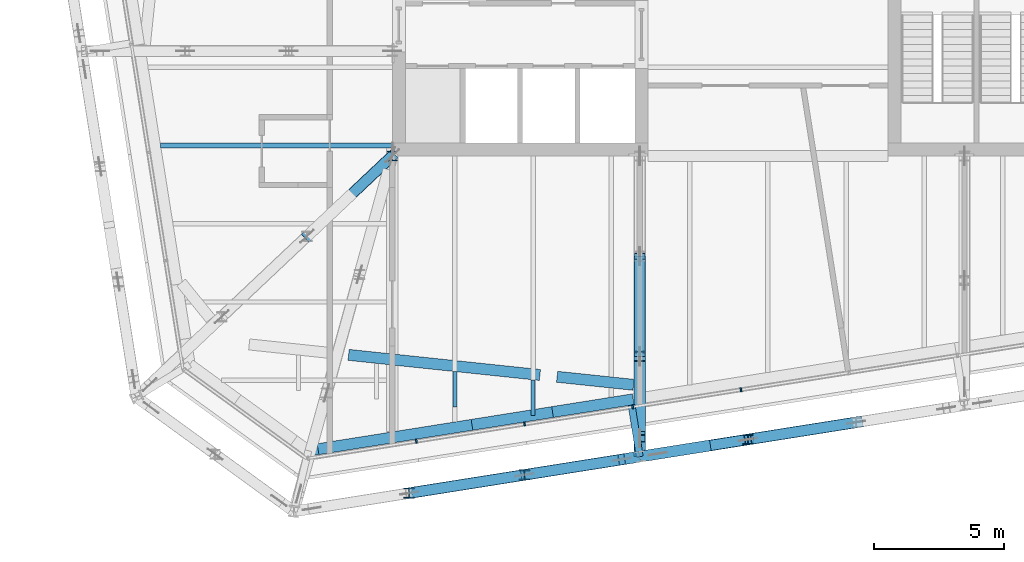
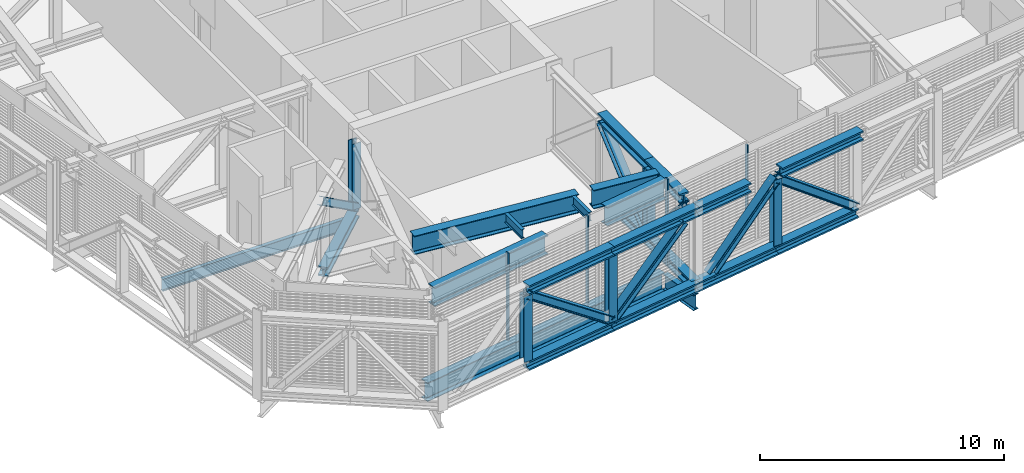
# One storey, part 3 of 32: 22 beams, 16 members, 1 element without a shape of its own.
"""IFC4 building model written with IfcOpenShell, lengths in metres."""

from ifc_helpers import new_model, si_unit, direction, frame, origin, origin_2d, place, context, subcontext, project, spatial, rectangle, i_section, extrude, material, layer, layer_set, material_profile, profile_set, type_object, element, aggregate, save


model = new_model("IFC4")

# Units and contexts
model_context = context("Model", 3, precision=1e-05, world=origin(), true_north=direction((0.0, 1.0)))
body_context = subcontext(model_context, "Body", "Model", "MODEL_VIEW")
ifc_project = project(units=[si_unit("LENGTHUNIT", "METRE"), si_unit("AREAUNIT", "SQUARE_METRE"), si_unit("VOLUMEUNIT", "CUBIC_METRE"), si_unit("PLANEANGLEUNIT", "RADIAN"), si_unit("MASSUNIT", "GRAM", prefix="KILO")], contexts=[model_context])

# Site, building, storey
site_placement = place(None, origin())
site = spatial("IfcSite", under=ifc_project, at=site_placement, CompositionType="ELEMENT")
building_placement = place(site_placement, origin())
building = spatial("IfcBuilding", under=site, at=building_placement, Name="Millrace Tower", CompositionType="ELEMENT")
storey_placement = place(building_placement, frame((0.0, 0.0, 266.89990234375)))
storey = spatial("IfcBuildingStorey", under=building, at=storey_placement, Name="L61", CompositionType="ELEMENT", Elevation=266.89990234375)

# Beams
ifc_material_1 = material(Name="Steel ASTM A992 Grade 50", Category="steel")
ifc_material_profile_1 = material_profile(ifc_material_1, i_section(OverallWidth=0.424072265625, OverallDepth=0.47509765625, WebThickness=0.0478515625, FlangeThickness=0.0771484375, FilletRadius=0.014892578125, at=origin_2d()))
ifc_profile_set_1 = profile_set([ifc_material_profile_1], Name="Steel ASTM A992 Grade 50")
beam_type_1 = type_object("IfcBeamType", Name="Belt truss chord W14x426", PredefinedType="BEAM", material=ifc_profile_set_1)
for number, where, z_axis, x_axis, name in (
    (1, (-13.753662109375, -22.328125, 0.237548828125), (0.9876898897, 0.156424684061, 0.0), (-0.156424684061, 0.9876898897, 0.0), "BLT-L61-R02-B02"),
    (2, (-13.753662109375, -22.328125, 4.002685546875), (0.9876898897, 0.156424684061, 0.0), (-0.156424684061, 0.9876898897, 0.0), "BLT-L61-R02-T02"),
):
    element("IfcBeam", number, at=place(storey_placement, frame(where, z_axis=z_axis, x_axis=x_axis)), inside=storey, type_object=beam_type_1, Name=name, PredefinedType="BEAM", context=body_context, shape_type="SweptSolid", body=[
        extrude(i_section(OverallWidth=0.424072265625, OverallDepth=0.47509765625, WebThickness=0.0478515625, FlangeThickness=0.0771484375, FilletRadius=0.014892578125, at=origin_2d()), origin(), (0.0, 0.0, 1.0), 4.476318359375),
    ])
for number, where, z_axis, x_axis, name in (
    (3, (-9.33251953125, -21.6279296875, 0.237548828125), (0.987688555037, 0.156433111103, 0.0), (-0.156433111103, 0.987688555037, 0.0), "BLT-L61-R02-B03"),
    (4, (-9.33251953125, -21.6279296875, 4.002685546875), (0.987688555037, 0.156433111103, 0.0), (-0.156433111103, 0.987688555037, 0.0), "BLT-L61-R02-T03"),
):
    element("IfcBeam", number, at=place(storey_placement, frame(where, z_axis=z_axis, x_axis=x_axis)), inside=storey, type_object=beam_type_1, Name=name, PredefinedType="BEAM", context=body_context, shape_type="SweptSolid", body=[
        extrude(i_section(OverallWidth=0.424072265625, OverallDepth=0.47509765625, WebThickness=0.0478515625, FlangeThickness=0.0771484375, FilletRadius=0.014892578125, at=origin_2d()), origin(), (0.0, 0.0, 1.0), 4.47607421875),
    ])
beam_1_placement = place(storey_placement, frame((-4.91162109375, -20.927734375, 0.237548828125), z_axis=(0.987690751091, 0.156419245009, 0.0), x_axis=(-0.156419245009, 0.987690751091, 0.0)))
element("IfcBeam", 5, at=beam_1_placement, inside=storey, type_object=beam_type_1, Name="BLT-L61-R03-B01", PredefinedType="BEAM", context=body_context, shape_type="SweptSolid", body=[
    extrude(i_section(OverallWidth=0.424072265625, OverallDepth=0.47509765625, WebThickness=0.0478515625, FlangeThickness=0.0771484375, FilletRadius=0.014892578125, at=origin_2d()), origin(), (0.0, 0.0, 1.0), 4.2001953125),
])
beam_2_placement = place(storey_placement, frame((-0.76318359375, -20.270751953125, 0.237548828125), z_axis=(0.987689328781, 0.156428225752, 0.0), x_axis=(-0.156428225752, 0.987689328781, 0.0)))
element("IfcBeam", 6, at=beam_2_placement, inside=storey, type_object=beam_type_1, Name="BLT-L61-R03-B02", PredefinedType="BEAM", context=body_context, shape_type="SweptSolid", body=[
    extrude(i_section(OverallWidth=0.424072265625, OverallDepth=0.47509765625, WebThickness=0.0478515625, FlangeThickness=0.0771484375, FilletRadius=0.014892578125, at=origin_2d()), origin(), (0.0, 0.0, 1.0), 4.199951171875),
])
beam_3_placement = place(storey_placement, frame((-4.91162109375, -20.927734375, 4.002685546875), z_axis=(0.987692813653, 0.156406220649, 0.0), x_axis=(-0.156406220649, 0.987692813653, 0.0)))
element("IfcBeam", 7, at=beam_3_placement, inside=storey, type_object=beam_type_1, Name="BLT-L61-R03-T01", PredefinedType="BEAM", context=body_context, shape_type="SweptSolid", body=[
    extrude(i_section(OverallWidth=0.424072265625, OverallDepth=0.47509765625, WebThickness=0.0478515625, FlangeThickness=0.0771484375, FilletRadius=0.014892578125, at=origin_2d()), origin(), (0.0, 0.0, 1.0), 2.740966796875),
])
beam_4_placement = place(storey_placement, frame((-0.56982421875, -20.239990234375, 4.002685546875), z_axis=(0.98769303442, 0.156404826518, 0.0), x_axis=(-0.156404826518, 0.98769303442, 0.0)))
element("IfcBeam", 8, at=beam_4_placement, inside=storey, type_object=beam_type_1, Name="BLT-L61-R03-T02", PredefinedType="BEAM", context=body_context, shape_type="SweptSolid", body=[
    extrude(i_section(OverallWidth=0.424072265625, OverallDepth=0.47509765625, WebThickness=0.0478515625, FlangeThickness=0.0771484375, FilletRadius=0.014892578125, at=origin_2d()), origin(), (0.0, 0.0, 1.0), 4.251953125),
])

# Members
ifc_material_2 = material(Name="Steel ASTM A992 Grade 50", Category="steel")
ifc_material_profile_2 = material_profile(ifc_material_2, i_section(OverallWidth=0.398681640625, OverallDepth=0.385986328125, WebThickness=0.02099609375, FlangeThickness=0.033203125, FilletRadius=0.01513671875, at=origin_2d()))
ifc_profile_set_2 = profile_set([ifc_material_profile_2], Name="Steel ASTM A992 Grade 50")
member_type_1 = type_object("IfcMemberType", Name="Belt truss diagonal W14x176", PredefinedType="BRACE", material=ifc_profile_set_2)
member_1_placement = place(storey_placement, frame((-9.33251953125, -21.6279296875, 0.47509765625), z_axis=(-0.795845185352, -0.126041415406, 0.592236441427), x_axis=(0.156424684061, -0.9876898897, 0.0)))
element("IfcMember", 9, at=member_1_placement, inside=storey, type_object=member_type_1, Name="BLT-L61-R02-D02", PredefinedType="BRACE", context=body_context, shape_type="SweptSolid", body=[
    extrude(i_section(OverallWidth=0.398681640625, OverallDepth=0.385986328125, WebThickness=0.02099609375, FlangeThickness=0.033203125, FilletRadius=0.01513671875, at=origin_2d()), origin(), (0.0, 0.0, 1.0), 5.55517578125),
])
member_2_placement = place(storey_placement, frame((-9.33251953125, -21.6279296875, 0.47509765625), z_axis=(0.74467446544, 0.117921414762, 0.656928063385), x_axis=(-0.156404144508, 0.987693142419, 0.0)))
element("IfcMember", 10, at=member_2_placement, inside=storey, type_object=member_type_1, Name="BLT-L61-R02-D03", PredefinedType="BRACE", context=body_context, shape_type="SweptSolid", body=[
    extrude(i_section(OverallWidth=0.398681640625, OverallDepth=0.385986328125, WebThickness=0.02099609375, FlangeThickness=0.033203125, FilletRadius=0.01513671875, at=origin_2d()), origin(), (0.0, 0.0, 1.0), 5.00830078125),
])
member_3_placement = place(storey_placement, frame((-4.22021484375, -20.818359375, 0.47509765625), z_axis=(0.719663812455, 0.113997594021, 0.684900391006), x_axis=(-0.156453267504, 0.987685362394, 0.0)))
element("IfcMember", 11, at=member_3_placement, inside=storey, type_object=member_type_1, Name="BLT-L61-R03-D01", PredefinedType="BRACE", context=body_context, shape_type="SweptSolid", body=[
    extrude(i_section(OverallWidth=0.398681640625, OverallDepth=0.385986328125, WebThickness=0.02099609375, FlangeThickness=0.033203125, FilletRadius=0.01513671875, at=origin_2d()), origin(), (0.0, 0.0, 1.0), 4.8037109375),
])
member_4_placement = place(storey_placement, frame((3.385009765625, -19.61376953125, 0.47509765625), z_axis=(-0.777525979499, -0.123142982216, 0.616675893104), x_axis=(0.156428225752, -0.987689328781, 0.0)))
element("IfcMember", 12, at=member_4_placement, inside=storey, type_object=member_type_1, Name="BLT-L61-R03-D02", PredefinedType="BRACE", context=body_context, shape_type="SweptSolid", body=[
    extrude(i_section(OverallWidth=0.398681640625, OverallDepth=0.385986328125, WebThickness=0.02099609375, FlangeThickness=0.033203125, FilletRadius=0.01513671875, at=origin_2d()), origin(), (0.0, 0.0, 1.0), 5.335205078125),
])
ifc_material_3 = material(Name="Steel ASTM A992 Grade 50", Category="steel")
ifc_material_profile_3 = material_profile(ifc_material_3, i_section(OverallWidth=0.393798828125, OverallDepth=0.3759765625, WebThickness=0.017333984375, FlangeThickness=0.027587890625, FilletRadius=0.01513671875, at=origin_2d()))
ifc_profile_set_3 = profile_set([ifc_material_profile_3], Name="Steel ASTM A992 Grade 50")
member_type_2 = type_object("IfcMemberType", Name="Belt truss post W14x145", PredefinedType="POST", material=ifc_profile_set_3)
for number, where, z_axis, x_axis, name in (
    (13, (-13.753662109375, -22.328125, 0.47509765625), (0.0, 0.0, 1.0), (1.0, 0.0, 0.0), "BLT-L61-R02-V01"),
    (14, (-9.33251953125, -21.6279296875, 0.47509765625), (0.0, 0.0, 1.0), (1.0, 0.0, 0.0), "BLT-L61-R02-V02"),
    (15, (-0.76318359375, -20.270751953125, 0.47509765625), (0.0, 0.0, 1.0), (1.0, 0.0, 0.0), "BLT-L61-R03-V01"),
):
    element("IfcMember", number, at=place(storey_placement, frame(where, z_axis=z_axis, x_axis=x_axis)), inside=storey, type_object=member_type_2, Name=name, PredefinedType="POST", context=body_context, shape_type="SweptSolid", body=[
        extrude(i_section(OverallWidth=0.393798828125, OverallDepth=0.3759765625, WebThickness=0.017333984375, FlangeThickness=0.027587890625, FilletRadius=0.01513671875, at=origin_2d()), origin(), (0.0, 0.0, 1.0), 3.2900390625),
    ])

# Curtain wall, members
ifc_material_4 = material(Name="Aluminium and glass", Category="aluminium")
ifc_layer = layer(ifc_material_4, 0.14990234375)
ifc_layer_set = layer_set([ifc_layer], Name="Aluminium and glass")
curtain_wall_type = type_object("IfcCurtainWallType", Name="CW-5 truss and plant storey louvred infill", PredefinedType="NOTDEFINED", material=ifc_layer_set)
curtain_wall_placement = place(storey_placement, origin())
curtain_wall = element("IfcCurtainWall", 16, at=curtain_wall_placement, inside=storey, type_object=curtain_wall_type, Name="Curtain wall D-F02 L61", PredefinedType="NOTDEFINED")
ifc_material_5 = material(Name="Aluminium", Category="aluminium")
ifc_material_profile_4 = material_profile(ifc_material_5, rectangle(XDim=0.06494140625, YDim=0.14990234375, at=origin_2d()))
ifc_profile_set_4 = profile_set([ifc_material_profile_4], Name="Aluminium")
member_type_3 = type_object("IfcMemberType", Name="CW-5 truss and plant storey louvred infill mullion", PredefinedType="MULLION", material=ifc_profile_set_4)
member_5_placement = place(storey_placement, frame((-13.477294921875, -20.33544921875, 0.14013671875), z_axis=(0.0, 0.0, 1.0), x_axis=(0.987688339511, 0.156434471884, 0.0)))
member_5 = element("IfcMember", 17, at=member_5_placement, type_object=member_type_3, Name="CW5 mullion D-F02.2", PredefinedType="MULLION", context=body_context, shape_type="SweptSolid", body=[
    extrude(rectangle(XDim=0.06494140625, YDim=0.14990234375, at=origin_2d()), origin(), (0.0, 0.0, 1.0), 4.35986328125),
])
member_6_placement = place(storey_placement, frame((-9.328857421875, -19.678466796875, 0.14013671875), z_axis=(0.0, 0.0, 1.0), x_axis=(0.987688339511, 0.156434471884, 0.0)))
member_6 = element("IfcMember", 18, at=member_6_placement, type_object=member_type_3, Name="CW5 mullion D-F02.3", PredefinedType="MULLION", context=body_context, shape_type="SweptSolid", body=[
    extrude(rectangle(XDim=0.06494140625, YDim=0.14990234375, at=origin_2d()), origin(), (0.0, 0.0, 1.0), 4.35986328125),
])
member_7_placement = place(storey_placement, frame((-5.1806640625, -19.021240234375, 0.14013671875), z_axis=(0.0, 0.0, 1.0), x_axis=(0.987688339511, 0.156434471884, 0.0)))
member_7 = element("IfcMember", 19, at=member_7_placement, type_object=member_type_3, Name="CW5 mullion D-F02.4", PredefinedType="MULLION", context=body_context, shape_type="SweptSolid", body=[
    extrude(rectangle(XDim=0.06494140625, YDim=0.14990234375, at=origin_2d()), origin(), (0.0, 0.0, 1.0), 4.35986328125),
])
member_8_placement = place(storey_placement, frame((-1.0322265625, -18.3642578125, 0.14013671875), z_axis=(0.0, 0.0, 1.0), x_axis=(0.987688339511, 0.156434471884, 0.0)))
member_8 = element("IfcMember", 20, at=member_8_placement, type_object=member_type_3, Name="CW5 mullion D-F02.5", PredefinedType="MULLION", context=body_context, shape_type="SweptSolid", body=[
    extrude(rectangle(XDim=0.06494140625, YDim=0.14990234375, at=origin_2d()), origin(), (0.0, 0.0, 1.0), 4.199951171875),
])
aggregate(curtain_wall, [member_5, member_6, member_7, member_8])

# Beams
ifc_material_6 = material(Name="Steel ASTM A992 Grade 50", Category="steel")
ifc_material_profile_5 = material_profile(ifc_material_6, i_section(OverallWidth=0.15234375, OverallDepth=0.449462890625, WebThickness=0.007568359375, FlangeThickness=0.0107421875, FilletRadius=0.01025390625, at=origin_2d()))
ifc_profile_set_5 = profile_set([ifc_material_profile_5], Name="Steel ASTM A992 Grade 50")
beam_type_2 = type_object("IfcBeamType", Name="Floor beam W18x35", PredefinedType="JOIST", material=ifc_profile_set_5)
beam_5_placement = place(storey_placement, frame((-9.0, -19.347412109375, 4.115234375), z_axis=(0.0, 1.0, 0.0), x_axis=(-1.0, 0.0, 0.0)))
element("IfcBeam", 21, at=beam_5_placement, inside=storey, type_object=beam_type_2, Name="BM-D-L61-R2-S005", PredefinedType="JOIST", context=body_context, shape_type="SweptSolid", body=[
    extrude(i_section(OverallWidth=0.15234375, OverallDepth=0.449462890625, WebThickness=0.007568359375, FlangeThickness=0.0107421875, FilletRadius=0.01025390625, at=origin_2d()), origin(), (0.0, 0.0, 1.0), 1.364990234375),
])
beam_6_placement = place(storey_placement, frame((-12.0, -19.0322265625, 4.115234375), z_axis=(0.0, 1.0, 0.0), x_axis=(-1.0, 0.0, 0.0)))
element("IfcBeam", 22, at=beam_6_placement, inside=storey, type_object=beam_type_2, Name="BM-D-L61-R2-S004", PredefinedType="JOIST", context=body_context, shape_type="SweptSolid", body=[
    extrude(i_section(OverallWidth=0.15234375, OverallDepth=0.449462890625, WebThickness=0.007568359375, FlangeThickness=0.0107421875, FilletRadius=0.01025390625, at=origin_2d()), origin(), (0.0, 0.0, 1.0), 1.365234375),
])
ifc_material_7 = material(Name="Steel ASTM A992 Grade 50", Category="steel")
ifc_material_profile_6 = material_profile(ifc_material_7, i_section(OverallWidth=0.177978515625, OverallDepth=0.599365234375, WebThickness=0.010009765625, FlangeThickness=0.012939453125, FilletRadius=0.012939453125, at=origin_2d()))
ifc_profile_set_6 = profile_set([ifc_material_profile_6], Name="Steel ASTM A992 Grade 50")
beam_type_3 = type_object("IfcBeamType", Name="Floor beam W24x55", PredefinedType="JOIST", material=ifc_profile_set_6)
beam_7_placement = place(storey_placement, frame((-23.281982421875, -9.0, -0.549560546875), z_axis=(1.0, 0.0, 0.0), x_axis=(0.0, 1.0, 0.0)))
element("IfcBeam", 23, at=beam_7_placement, inside=storey, type_object=beam_type_3, Name="BM-D-L61-S1-S006", PredefinedType="JOIST", context=body_context, shape_type="SweptSolid", body=[
    extrude(i_section(OverallWidth=0.177978515625, OverallDepth=0.599365234375, WebThickness=0.010009765625, FlangeThickness=0.012939453125, FilletRadius=0.012939453125, at=origin_2d()), origin(), (0.0, 0.0, 1.0), 8.882080078125),
])
ifc_material_8 = material(Name="Steel ASTM A992 Grade 50", Category="steel")
ifc_material_profile_7 = material_profile(ifc_material_8, i_section(OverallWidth=0.2666015625, OverallDepth=0.7568359375, WebThickness=0.013916015625, FlangeThickness=0.019287109375, FilletRadius=0.0166015625, at=origin_2d()))
ifc_profile_set_7 = profile_set([ifc_material_profile_7], Name="Steel ASTM A992 Grade 50")
beam_type_4 = type_object("IfcBeamType", Name="Link beam W30x108", PredefinedType="BEAM", material=ifc_profile_set_7)
beam_8_placement = place(storey_placement, frame((-5.224365234375, -18.952392578125, -0.62841796875), z_axis=(0.15637629034, -0.987697552806, 0.0), x_axis=(0.987697552806, 0.15637629034, 0.0)))
element("IfcBeam", 24, at=beam_8_placement, inside=storey, type_object=beam_type_4, Name="LNK-D-L61-S1-15", PredefinedType="BEAM", context=body_context, shape_type="SweptSolid", body=[
    extrude(i_section(OverallWidth=0.2666015625, OverallDepth=0.7568359375, WebThickness=0.013916015625, FlangeThickness=0.019287109375, FilletRadius=0.0166015625, at=origin_2d()), origin(), (0.0, 0.0, 1.0), 2.0),
])
ifc_material_9 = material(Name="Steel ASTM A992 Grade 50", Category="steel")
ifc_material_profile_8 = material_profile(ifc_material_9, i_section(OverallWidth=0.424072265625, OverallDepth=0.47509765625, WebThickness=0.0478515625, FlangeThickness=0.0771484375, FilletRadius=0.014892578125, at=origin_2d()))
ifc_profile_set_8 = profile_set([ifc_material_profile_8], Name="Steel ASTM A992 Grade 50")
beam_type_5 = type_object("IfcBeamType", Name="Outrigger truss chord W14x426", PredefinedType="BEAM", material=ifc_profile_set_8)
beam_9_placement = place(storey_placement, frame((-14.39990234375, -9.39990234375, 0.237548828125), z_axis=(-0.727559957581, -0.686044100714, 0.0), x_axis=(0.686044100714, -0.727559957581, 0.0)))
element("IfcBeam", 25, at=beam_9_placement, inside=storey, type_object=beam_type_5, Name="BLT-L61-O01-B01", PredefinedType="BEAM", context=body_context, shape_type="SweptSolid", body=[
    extrude(i_section(OverallWidth=0.424072265625, OverallDepth=0.47509765625, WebThickness=0.0478515625, FlangeThickness=0.0771484375, FilletRadius=0.014892578125, at=origin_2d()), origin(), (0.0, 0.0, 1.0), 4.492919921875),
])
for number, where, z_axis, x_axis, name in (
    (26, (-4.91162109375, -13.24267578125, 0.237548828125), (0.0, -1.0, 0.0), (1.0, 0.0, 0.0), "BLT-L61-O03-B02"),
    (27, (-4.91162109375, -13.24267578125, 4.002685546875), (0.0, -1.0, 0.0), (1.0, 0.0, 0.0), "BLT-L61-O03-T02"),
    (28, (-4.91162109375, -17.085205078125, 0.237548828125), (0.0, -1.0, 0.0), (1.0, 0.0, 0.0), "BLT-L61-O03-B03"),
):
    element("IfcBeam", number, at=place(storey_placement, frame(where, z_axis=z_axis, x_axis=x_axis)), inside=storey, type_object=beam_type_5, Name=name, PredefinedType="BEAM", context=body_context, shape_type="SweptSolid", body=[
        extrude(i_section(OverallWidth=0.424072265625, OverallDepth=0.47509765625, WebThickness=0.0478515625, FlangeThickness=0.0771484375, FilletRadius=0.014892578125, at=origin_2d()), origin(), (0.0, 0.0, 1.0), 3.842529296875),
    ])
beam_10_placement = place(storey_placement, frame((-4.91162109375, -17.085205078125, 4.002685546875), z_axis=(0.0, -1.0, 0.0), x_axis=(1.0, 0.0, 0.0)))
element("IfcBeam", 29, at=beam_10_placement, inside=storey, type_object=beam_type_5, Name="BLT-L61-O03-T03", PredefinedType="BEAM", context=body_context, shape_type="SweptSolid", body=[
    extrude(i_section(OverallWidth=0.424072265625, OverallDepth=0.47509765625, WebThickness=0.0478515625, FlangeThickness=0.0771484375, FilletRadius=0.014892578125, at=origin_2d()), origin(), (0.0, 0.0, 1.0), 2.88134765625),
])

# Members
ifc_material_10 = material(Name="Steel ASTM A992 Grade 50", Category="steel")
ifc_material_profile_9 = material_profile(ifc_material_10, i_section(OverallWidth=0.398681640625, OverallDepth=0.385986328125, WebThickness=0.02099609375, FlangeThickness=0.033203125, FilletRadius=0.01513671875, at=origin_2d()))
ifc_profile_set_9 = profile_set([ifc_material_profile_9], Name="Steel ASTM A992 Grade 50")
member_type_4 = type_object("IfcMemberType", Name="Outrigger truss diagonal W14x176", PredefinedType="BRACE", material=ifc_profile_set_9)
member_9_placement = place(storey_placement, frame((-14.39990234375, -9.39990234375, 0.47509765625), z_axis=(-0.587000593226, -0.553505302075, 0.590814847585), x_axis=(0.686044100714, -0.727559957581, 0.0)))
element("IfcMember", 30, at=member_9_placement, inside=storey, type_object=member_type_4, Name="BLT-L61-O01-D01", PredefinedType="BRACE", context=body_context, shape_type="SweptSolid", body=[
    extrude(i_section(OverallWidth=0.398681640625, OverallDepth=0.385986328125, WebThickness=0.02099609375, FlangeThickness=0.033203125, FilletRadius=0.01513671875, at=origin_2d()), origin(), (0.0, 0.0, 1.0), 5.568603515625),
])
member_10_placement = place(storey_placement, frame((-4.91162109375, -17.085205078125, 0.47509765625), z_axis=(0.0, 0.759603984359, 0.65038587542), x_axis=(-1.0, 0.0, 0.0)))
element("IfcMember", 31, at=member_10_placement, inside=storey, type_object=member_type_4, Name="BLT-L61-O03-D02", PredefinedType="BRACE", context=body_context, shape_type="SweptSolid", body=[
    extrude(i_section(OverallWidth=0.398681640625, OverallDepth=0.385986328125, WebThickness=0.02099609375, FlangeThickness=0.033203125, FilletRadius=0.01513671875, at=origin_2d()), origin(), (0.0, 0.0, 1.0), 5.05859375),
])
member_11_placement = place(storey_placement, frame((-4.91162109375, -17.085205078125, 0.47509765625), z_axis=(0.0, -0.690715642844, 0.723126476303), x_axis=(1.0, 0.0, 0.0)))
element("IfcMember", 32, at=member_11_placement, inside=storey, type_object=member_type_4, Name="BLT-L61-O03-D03", PredefinedType="BRACE", context=body_context, shape_type="SweptSolid", body=[
    extrude(i_section(OverallWidth=0.398681640625, OverallDepth=0.385986328125, WebThickness=0.02099609375, FlangeThickness=0.033203125, FilletRadius=0.01513671875, at=origin_2d()), origin(), (0.0, 0.0, 1.0), 4.5498046875),
])
ifc_material_11 = material(Name="Steel ASTM A992 Grade 50", Category="steel")
ifc_material_profile_10 = material_profile(ifc_material_11, i_section(OverallWidth=0.393798828125, OverallDepth=0.3759765625, WebThickness=0.017333984375, FlangeThickness=0.027587890625, FilletRadius=0.01513671875, at=origin_2d()))
ifc_profile_set_10 = profile_set([ifc_material_profile_10], Name="Steel ASTM A992 Grade 50")
member_type_5 = type_object("IfcMemberType", Name="Outrigger truss post W14x145", PredefinedType="POST", material=ifc_profile_set_10)
for number, where, z_axis, x_axis, name in (
    (33, (-14.39990234375, -9.39990234375, 0.47509765625), (0.0, 0.0, 1.0), (1.0, 0.0, 0.0), "BLT-L61-O01-V00"),
    (34, (-4.91162109375, -17.085205078125, 0.47509765625), (0.0, 0.0, 1.0), (1.0, 0.0, 0.0), "BLT-L61-O03-V02"),
):
    element("IfcMember", number, at=place(storey_placement, frame(where, z_axis=z_axis, x_axis=x_axis)), inside=storey, type_object=member_type_5, Name=name, PredefinedType="POST", context=body_context, shape_type="SweptSolid", body=[
        extrude(i_section(OverallWidth=0.393798828125, OverallDepth=0.3759765625, WebThickness=0.017333984375, FlangeThickness=0.027587890625, FilletRadius=0.01513671875, at=origin_2d()), origin(), (0.0, 0.0, 1.0), 3.2900390625),
    ])

# Beams
ifc_material_12 = material(Name="Steel ASTM A992 Grade 50", Category="steel")
ifc_material_profile_11 = material_profile(ifc_material_12, i_section(OverallWidth=0.421630859375, OverallDepth=0.937255859375, WebThickness=0.021240234375, FlangeThickness=0.03662109375, FilletRadius=0.024169921875, at=origin_2d()))
ifc_profile_set_11 = profile_set([ifc_material_profile_11], Name="Steel ASTM A992 Grade 50")
beam_type_6 = type_object("IfcBeamType", Name="Ring beam medium span W36x262", PredefinedType="SPANDREL", material=ifc_profile_set_11)
beam_11_placement = place(storey_placement, frame((-5.25732421875, -18.744140625, -0.718505859375), z_axis=(-0.98768707064, -0.156442483009, 0.0), x_axis=(0.156442483009, -0.98768707064, 0.0)))
element("IfcBeam", 35, at=beam_11_placement, inside=storey, type_object=beam_type_6, Name="RNG-D-L61-S1-15", PredefinedType="SPANDREL", context=body_context, shape_type="SweptSolid", body=[
    extrude(i_section(OverallWidth=0.421630859375, OverallDepth=0.937255859375, WebThickness=0.021240234375, FlangeThickness=0.03662109375, FilletRadius=0.024169921875, at=origin_2d()), origin(), (0.0, 0.0, 1.0), 12.5126953125),
])
ifc_material_13 = material(Name="Steel ASTM A992 Grade 50", Category="steel")
ifc_material_profile_12 = material_profile(ifc_material_13, i_section(OverallWidth=0.421630859375, OverallDepth=0.937255859375, WebThickness=0.021240234375, FlangeThickness=0.03662109375, FilletRadius=0.024169921875, at=origin_2d()))
ifc_profile_set_12 = profile_set([ifc_material_profile_12], Name="Steel ASTM A992 Grade 50")
beam_type_7 = type_object("IfcBeamType", Name="Ring beam short span W36x262", PredefinedType="SPANDREL", material=ifc_profile_set_12)
beam_12_placement = place(storey_placement, frame((-5.15869140625, -18.728515625, 3.87158203125), z_axis=(-0.987687717856, -0.156438396813, 0.0), x_axis=(0.156438396813, -0.987687717856, 0.0)))
element("IfcBeam", 36, at=beam_12_placement, inside=storey, type_object=beam_type_7, Name="RNG-D-L61-R2-05", PredefinedType="SPANDREL", context=body_context, shape_type="SweptSolid", body=[
    extrude(i_section(OverallWidth=0.421630859375, OverallDepth=0.937255859375, WebThickness=0.021240234375, FlangeThickness=0.03662109375, FilletRadius=0.024169921875, at=origin_2d()), origin(), (0.0, 0.0, 1.0), 3.13525390625),
])
beam_13_placement = place(storey_placement, frame((-11.343505859375, -19.7080078125, 3.87158203125), z_axis=(-0.98768398578, -0.156461957782, 0.0), x_axis=(0.156461957782, -0.98768398578, 0.0)))
element("IfcBeam", 37, at=beam_13_placement, inside=storey, type_object=beam_type_7, Name="RNG-D-L61-R2-06", PredefinedType="SPANDREL", context=body_context, shape_type="SweptSolid", body=[
    extrude(i_section(OverallWidth=0.421630859375, OverallDepth=0.937255859375, WebThickness=0.021240234375, FlangeThickness=0.03662109375, FilletRadius=0.024169921875, at=origin_2d()), origin(), (0.0, 0.0, 1.0), 5.974609375),
])
beam_14_placement = place(storey_placement, frame((-16.073486328125, -17.02685546875, 3.87158203125), z_axis=(0.994519955331, -0.104546919841, 0.0), x_axis=(0.104546919841, 0.994519955331, 0.0)))
element("IfcBeam", 38, at=beam_14_placement, inside=storey, type_object=beam_type_7, Name="RNG-D-L61-R2-04-b-a", PredefinedType="SPANDREL", context=body_context, shape_type="SweptSolid", body=[
    extrude(i_section(OverallWidth=0.421630859375, OverallDepth=0.937255859375, WebThickness=0.021240234375, FlangeThickness=0.03662109375, FilletRadius=0.024169921875, at=origin_2d()), origin(), (0.0, 0.0, 1.0), 7.374755859375),
])
beam_15_placement = place(storey_placement, frame((-8.08056640625, -17.866943359375, 3.87158203125), z_axis=(0.994519505219, -0.104551201522, 0.0), x_axis=(0.104551201522, 0.994519505219, 0.0)))
element("IfcBeam", 39, at=beam_15_placement, inside=storey, type_object=beam_type_7, Name="RNG-D-L61-R2-04-b-b", PredefinedType="SPANDREL", context=body_context, shape_type="SweptSolid", body=[
    extrude(i_section(OverallWidth=0.421630859375, OverallDepth=0.937255859375, WebThickness=0.021240234375, FlangeThickness=0.03662109375, FilletRadius=0.024169921875, at=origin_2d()), origin(), (0.0, 0.0, 1.0), 2.94921875),
])

save(model, "model.ifc")
